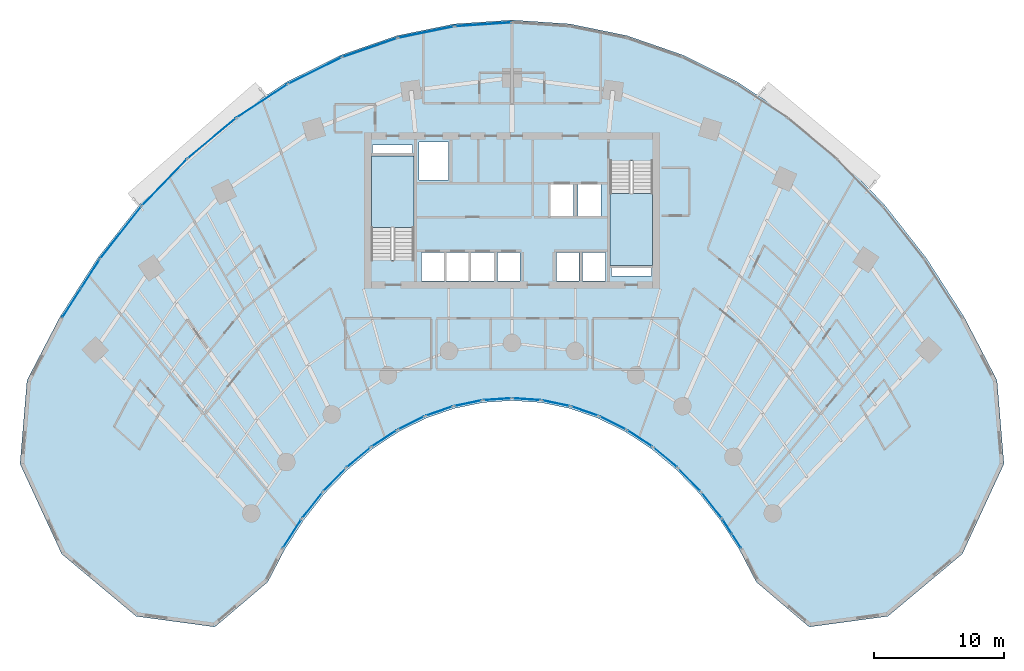
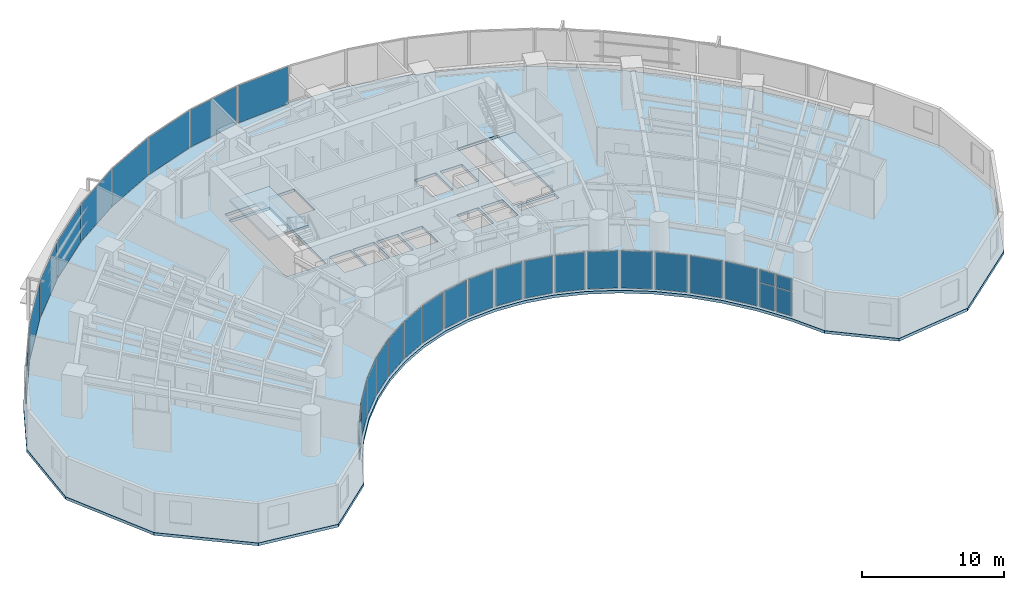
# One storey, part 9 of 17: 33 plates, 3 slabs, 29 elements without a shape of their own.
"""IFC4 building model written with IfcOpenShell, lengths in metres."""

from ifc_helpers import new_model, si_unit, direction, frame, origin, origin_2d, place, context, subcontext, project, spatial, polyline, rectangle, outline, extrude, source, transform, mapped, material, layer, layer_set, type_object, type_shapes, element, aggregate, save


model = new_model("IFC4")

# Units and contexts
model_context = context("Model", 3, precision=1e-05, world=origin(), true_north=direction((0.0, 1.0)))
body_context = subcontext(model_context, "Body", "Model", "MODEL_VIEW")
ifc_project = project(units=[si_unit("LENGTHUNIT", "METRE"), si_unit("AREAUNIT", "SQUARE_METRE"), si_unit("VOLUMEUNIT", "CUBIC_METRE"), si_unit("PLANEANGLEUNIT", "RADIAN"), si_unit("MASSUNIT", "GRAM", prefix="KILO")], contexts=[model_context])

# Site, building, storey
site_placement = place(None, origin())
site = spatial("IfcSite", under=ifc_project, at=site_placement, CompositionType="ELEMENT")
building_placement = place(site_placement, origin())
building = spatial("IfcBuilding", under=site, at=building_placement, Name="Breltana Convention Tower", CompositionType="ELEMENT")
storey_placement = place(building_placement, frame((0.0, 0.0, 49.800048828125)))
storey = spatial("IfcBuildingStorey", under=building, at=storey_placement, Name="L10", CompositionType="ELEMENT", Elevation=49.800048828125)

# Slab
ifc_material_1 = material(Name="Concrete C40/50", Category="concrete")
ifc_layer_1 = layer(ifc_material_1, 0.239990234375, Name="Concrete C40/50")
ifc_layer_set_1 = layer_set([ifc_layer_1], Name="Concrete C40/50")
slab_type_1 = type_object("IfcSlabType", Name="SL-HTL-240", PredefinedType="FLOOR", material=ifc_layer_set_1)
slab_1_placement = place(storey_placement, frame((0.0, 0.0, -0.239990234375)))
element("IfcSlab", 1, at=slab_1_placement, inside=storey, type_object=slab_type_1, Name="L10 Suspended Structural Floor Slab", PredefinedType="FLOOR", context=body_context, shape_type="SweptSolid", body=[
    extrude(outline(polyline([(85.229248046875, 53.173095703125), (82.687744140625, 58.054931640625), (79.791015625, 62.567626953125), (76.569091796875, 66.664794921875), (73.05419921875, 70.304931640625), (69.283203125, 73.450439453125), (65.2939453125, 76.069091796875), (61.1279296875, 78.134033203125), (56.827392578125, 79.62451171875), (52.436279296875, 80.52490234375), (48.0, 80.825927734375), (43.563720703125, 80.52490234375), (39.172607421875, 79.62451171875), (34.8720703125, 78.134033203125), (30.7060546875, 76.069091796875), (26.716796875, 73.450439453125), (22.94580078125, 70.304931640625), (19.430908203125, 66.664794921875), (16.208984375, 62.567626953125), (13.312255859375, 58.054931640625), (10.770751953125, 53.173095703125), (10.234619140625, 46.75927734375), (13.433837890625, 39.8388671875), (19.14697265625, 35.055419921875), (25.191162109375, 34.235595703125), (29.258056640625, 37.693115234375), (30.53759765625, 40.150634765625), (31.995849609375, 42.42236328125), (33.617919921875, 44.485107421875), (35.38720703125, 46.3173828125), (37.28564453125, 47.90087890625), (39.2939453125, 49.21923828125), (41.39111328125, 50.2587890625), (43.55615234375, 51.009033203125), (45.7666015625, 51.46240234375), (48.0, 51.614013671875), (50.2333984375, 51.46240234375), (52.44384765625, 51.009033203125), (54.60888671875, 50.2587890625), (56.7060546875, 49.21923828125), (58.71435546875, 47.90087890625), (60.61279296875, 46.3173828125), (62.382080078125, 44.485107421875), (64.004150390625, 42.42236328125), (65.46240234375, 40.150634765625), (66.741943359375, 37.693115234375), (70.808837890625, 34.235595703125), (76.85302734375, 35.055419921875), (82.566162109375, 39.8388671875), (85.765380859375, 46.75927734375), (85.229248046875, 53.173095703125)]), holes=[polyline([(37.199951171875, 62.385009765625), (40.469970703125, 62.385009765625), (40.469970703125, 70.39990234375), (37.199951171875, 70.39990234375), (37.199951171875, 62.385009765625)]), polyline([(55.530029296875, 62.0), (58.800048828125, 62.0), (58.800048828125, 70.014892578125), (55.530029296875, 70.014892578125), (55.530029296875, 62.0)]), polyline([(41.0400390625, 60.800048828125), (42.800048828125, 60.800048828125), (42.800048828125, 62.97998046875), (41.0400390625, 62.97998046875), (41.0400390625, 60.800048828125)]), polyline([(42.93994140625, 60.800048828125), (44.699951171875, 60.800048828125), (44.699951171875, 62.97998046875), (42.93994140625, 62.97998046875), (42.93994140625, 60.800048828125)]), polyline([(44.8701171875, 60.800048828125), (46.6298828125, 60.800048828125), (46.6298828125, 62.97998046875), (44.8701171875, 62.97998046875), (44.8701171875, 60.800048828125)]), polyline([(46.8701171875, 60.800048828125), (48.6298828125, 60.800048828125), (48.6298828125, 62.97998046875), (46.8701171875, 62.97998046875), (46.8701171875, 60.800048828125)]), polyline([(51.39990234375, 60.800048828125), (53.159912109375, 60.800048828125), (53.159912109375, 62.97998046875), (51.39990234375, 62.97998046875), (51.39990234375, 60.800048828125)]), polyline([(53.39990234375, 60.800048828125), (55.159912109375, 60.800048828125), (55.159912109375, 62.97998046875), (53.39990234375, 62.97998046875), (53.39990234375, 60.800048828125)]), polyline([(50.969970703125, 65.800048828125), (52.72998046875, 65.800048828125), (52.72998046875, 68.179931640625), (50.969970703125, 68.179931640625), (50.969970703125, 65.800048828125)]), polyline([(53.070068359375, 65.800048828125), (54.830078125, 65.800048828125), (54.830078125, 68.179931640625), (53.070068359375, 68.179931640625), (53.070068359375, 65.800048828125)]), polyline([(40.8798828125, 68.550048828125), (43.1201171875, 68.550048828125), (43.1201171875, 71.449951171875), (40.8798828125, 71.449951171875), (40.8798828125, 68.550048828125)]), polyline([(37.300048828125, 70.60009765625), (40.3798828125, 70.60009765625), (40.3798828125, 71.219970703125), (37.300048828125, 71.219970703125), (37.300048828125, 70.60009765625)]), polyline([(55.6201171875, 61.179931640625), (58.699951171875, 61.179931640625), (58.699951171875, 61.800048828125), (55.6201171875, 61.800048828125), (55.6201171875, 61.179931640625)])]), origin(), (0.0, 0.0, 1.0), 0.239990234375),
])

# Stair, slab
stair_type = type_object("IfcStairType", Name="ST-DOG-1560-R180", PredefinedType="HALF_TURN_STAIR", material=ifc_material_1)
stair_1_placement = place(storey_placement, origin())
stair_1 = element("IfcStair", 2, at=stair_1_placement, inside=storey, type_object=stair_type, Name="L10 Protected Core Exit Stair ST-1", PredefinedType="HALF_TURN_STAIR")
ifc_layer_2 = layer(ifc_material_1, 0.199951171875, Name="Concrete C40/50")
ifc_layer_set_2 = layer_set([ifc_layer_2], Name="Concrete C40/50")
slab_type_2 = type_object("IfcSlabType", Name="SL-STAIR-LANDING-200", PredefinedType="LANDING", material=ifc_layer_set_2)
slab_2_placement = place(storey_placement, frame((0.0, 0.0, 1.599853515625)))
slab_2 = element("IfcSlab", 3, at=slab_2_placement, type_object=slab_type_2, Name="ST-1 landing 1", PredefinedType="LANDING", context=body_context, shape_type="SweptSolid", body=[
    extrude(outline(polyline([(40.469970703125, 64.8798828125), (40.469970703125, 70.39990234375), (37.199951171875, 70.39990234375), (37.199951171875, 64.8798828125), (40.469970703125, 64.8798828125)])), origin(), (0.0, 0.0, 1.0), 0.2001953125),
])
aggregate(stair_1, [slab_2])

stair_2_placement = place(storey_placement, origin())
stair_2 = element("IfcStair", 4, at=stair_2_placement, inside=storey, type_object=stair_type, Name="L10 Protected Core Exit Stair ST-2", PredefinedType="HALF_TURN_STAIR")
slab_3_placement = place(storey_placement, frame((0.0, 0.0, 1.599853515625)))
slab_3 = element("IfcSlab", 5, at=slab_3_placement, type_object=slab_type_2, Name="ST-2 landing 1", PredefinedType="LANDING", context=body_context, shape_type="SweptSolid", body=[
    extrude(outline(polyline([(55.530029296875, 67.52001953125), (55.530029296875, 62.0), (58.800048828125, 62.0), (58.800048828125, 67.52001953125), (55.530029296875, 67.52001953125)])), origin(), (0.0, 0.0, 1.0), 0.2001953125),
])
aggregate(stair_2, [slab_3])

# Curtain wall, plates
ifc_material_2 = material(Name="Aluminium Anodised Bronze Frame", Category="aluminium")
ifc_layer_3 = layer(ifc_material_2, 0.18994140625, Name="Aluminium Anodised Bronze Frame")
ifc_layer_set_3 = layer_set([ifc_layer_3], Name="Aluminium Anodised Bronze Frame")
curtain_wall_type_1 = type_object("IfcCurtainWallType", Name="CW-SYS-1", PredefinedType="NOTDEFINED", material=ifc_layer_set_3)
curtain_wall_1_placement = place(storey_placement, origin())
curtain_wall_1 = element("IfcCurtainWall", 6, at=curtain_wall_1_placement, inside=storey, type_object=curtain_wall_type_1, Name="L10 inner south-court glazing 1", PredefinedType="NOTDEFINED")
ifc_material_3 = material(Name="Glass Low-E Double Glazing", Category="glass")
ifc_layer_4 = layer(ifc_material_3, 0.028076171875, Name="Glass Low-E Double Glazing")
ifc_layer_set_4 = layer_set([ifc_layer_4], Name="Glass Low-E Double Glazing")
plate_type_1 = type_object("IfcPlateType", Name="CWP-IGU-28", PredefinedType="CURTAIN_PANEL", material=ifc_layer_set_4)
shared_shape_1 = source(origin(), body_context, "Body", "SweptSolid", [
    extrude(rectangle(XDim=1.229736328125, YDim=0.028076171875, at=origin_2d()), origin(), (0.0, 0.0, 1.0), 2.06396484375),
])
plate_1_placement = place(storey_placement, frame((65.238525390625, 40.83251953125, 0.080078125), z_axis=(0.0, 0.0, 1.0), x_axis=(-0.540169576197, 0.841556194767, 0.0)))
plate_1 = element("IfcPlate", 7, at=plate_1_placement, type_object=plate_type_1, Name="CW-01 panel 1.1", PredefinedType="CURTAIN_PANEL", context=body_context, shape_type="MappedRepresentation", body=[
    mapped(shared_shape_1, transform((0.0, 0.0, 0.0), scale=1.0)),
])
plate_2_placement = place(storey_placement, frame((64.531005859375, 41.934814453125, 0.080078125), z_axis=(0.0, 0.0, 1.0), x_axis=(-0.540169576197, 0.841556194767, 0.0)))
plate_2 = element("IfcPlate", 8, at=plate_2_placement, type_object=plate_type_1, Name="CW-01 panel 2.1", PredefinedType="CURTAIN_PANEL", context=body_context, shape_type="MappedRepresentation", body=[
    mapped(shared_shape_1, transform((0.0, 0.0, 0.0), scale=1.0)),
])
shared_shape_2 = source(origin(), body_context, "Body", "SweptSolid", [
    extrude(rectangle(XDim=1.229736328125, YDim=0.028076171875, at=origin_2d()), origin(), (0.0, 0.0, 1.0), 1.055908203125),
])
plate_3_placement = place(storey_placement, frame((65.238525390625, 40.83251953125, 2.22412109375), z_axis=(0.0, 0.0, 1.0), x_axis=(-0.540169576197, 0.841556194767, 0.0)))
plate_3 = element("IfcPlate", 9, at=plate_3_placement, type_object=plate_type_1, Name="CW-01 panel 1.2", PredefinedType="CURTAIN_PANEL", context=body_context, shape_type="MappedRepresentation", body=[
    mapped(shared_shape_2, transform((0.0, 0.0, 0.0), scale=1.0)),
])
plate_4_placement = place(storey_placement, frame((64.531005859375, 41.934814453125, 2.22412109375), z_axis=(0.0, 0.0, 1.0), x_axis=(-0.540169576197, 0.841556194767, 0.0)))
plate_4 = element("IfcPlate", 10, at=plate_4_placement, type_object=plate_type_1, Name="CW-01 panel 2.2", PredefinedType="CURTAIN_PANEL", context=body_context, shape_type="MappedRepresentation", body=[
    mapped(shared_shape_2, transform((0.0, 0.0, 0.0), scale=1.0)),
])
aggregate(curtain_wall_1, [plate_1, plate_3, plate_2, plate_4])

# Curtain wall, plate
curtain_wall_2_placement = place(storey_placement, origin())
curtain_wall_2 = element("IfcCurtainWall", 11, at=curtain_wall_2_placement, inside=storey, type_object=curtain_wall_type_1, Name="L10 inner south-court glazing 2", PredefinedType="NOTDEFINED")
shared_shape_3 = source(origin(), body_context, "Body", "SweptSolid", [
    extrude(rectangle(XDim=2.464111328125, YDim=0.028076171875, at=origin_2d()), origin(), (0.0, 0.0, 1.0), 3.199951171875),
])
plate_5_placement = place(storey_placement, frame((63.334716796875, 43.56494140625, 0.080078125), z_axis=(0.0, 0.0, 1.0), x_axis=(-0.61815305034, 0.786057762734, 0.0)))
plate_5 = element("IfcPlate", 12, at=plate_5_placement, type_object=plate_type_1, Name="CW-01 panel 1.1", PredefinedType="CURTAIN_PANEL", context=body_context, shape_type="MappedRepresentation", body=[
    mapped(shared_shape_3, transform((0.0, 0.0, 0.0), scale=1.0)),
])
aggregate(curtain_wall_2, [plate_5])

curtain_wall_3_placement = place(storey_placement, origin())
curtain_wall_3 = element("IfcCurtainWall", 13, at=curtain_wall_3_placement, inside=storey, type_object=curtain_wall_type_1, Name="L10 inner south-court glazing 17", PredefinedType="NOTDEFINED")
plate_6_placement = place(storey_placement, frame((32.665283203125, 43.56494140625, 0.080078125), z_axis=(0.0, 0.0, 1.0), x_axis=(-0.61815305034, -0.786057762734, 0.0)))
plate_6 = element("IfcPlate", 14, at=plate_6_placement, type_object=plate_type_1, Name="CW-01 panel 1.1", PredefinedType="CURTAIN_PANEL", context=body_context, shape_type="MappedRepresentation", body=[
    mapped(shared_shape_3, transform((0.0, 0.0, 0.0), scale=1.0)),
])
aggregate(curtain_wall_3, [plate_6])

curtain_wall_4_placement = place(storey_placement, origin())
curtain_wall_4 = element("IfcCurtainWall", 15, at=curtain_wall_4_placement, inside=storey, type_object=curtain_wall_type_1, Name="L10 inner south-court glazing 3", PredefinedType="NOTDEFINED")
shared_shape_4 = source(origin(), body_context, "Body", "SweptSolid", [
    extrude(rectangle(XDim=2.38720703125, YDim=0.028076171875, at=origin_2d()), origin(), (0.0, 0.0, 1.0), 3.199951171875),
])
plate_7_placement = place(storey_placement, frame((61.626953125, 45.5263671875, 0.080078125), z_axis=(0.0, 0.0, 1.0), x_axis=(-0.694612029111, 0.719384548773, 0.0)))
plate_7 = element("IfcPlate", 16, at=plate_7_placement, type_object=plate_type_1, Name="CW-01 panel 1.1", PredefinedType="CURTAIN_PANEL", context=body_context, shape_type="MappedRepresentation", body=[
    mapped(shared_shape_4, transform((0.0, 0.0, 0.0), scale=1.0)),
])
aggregate(curtain_wall_4, [plate_7])

curtain_wall_5_placement = place(storey_placement, origin())
curtain_wall_5 = element("IfcCurtainWall", 17, at=curtain_wall_5_placement, inside=storey, type_object=curtain_wall_type_1, Name="L10 inner south-court glazing 16", PredefinedType="NOTDEFINED")
plate_8_placement = place(storey_placement, frame((34.373046875, 45.5263671875, 0.080078125), z_axis=(0.0, 0.0, 1.0), x_axis=(-0.694612029111, -0.719384548773, 0.0)))
plate_8 = element("IfcPlate", 18, at=plate_8_placement, type_object=plate_type_1, Name="CW-01 panel 1.1", PredefinedType="CURTAIN_PANEL", context=body_context, shape_type="MappedRepresentation", body=[
    mapped(shared_shape_4, transform((0.0, 0.0, 0.0), scale=1.0)),
])
aggregate(curtain_wall_5, [plate_8])

curtain_wall_6_placement = place(storey_placement, origin())
curtain_wall_6 = element("IfcCurtainWall", 19, at=curtain_wall_6_placement, inside=storey, type_object=curtain_wall_type_1, Name="L10 inner south-court glazing 4", PredefinedType="NOTDEFINED")
shared_shape_5 = source(origin(), body_context, "Body", "SweptSolid", [
    extrude(rectangle(XDim=2.312255859375, YDim=0.028076171875, at=origin_2d()), origin(), (0.0, 0.0, 1.0), 3.199951171875),
])
plate_9_placement = place(storey_placement, frame((59.77880859375, 47.24755859375, 0.080078125), z_axis=(0.0, 0.0, 1.0), x_axis=(-0.767939382804, 0.640522524458, 0.0)))
plate_9 = element("IfcPlate", 20, at=plate_9_placement, type_object=plate_type_1, Name="CW-01 panel 1.1", PredefinedType="CURTAIN_PANEL", context=body_context, shape_type="MappedRepresentation", body=[
    mapped(shared_shape_5, transform((0.0, 0.0, 0.0), scale=1.0)),
])
aggregate(curtain_wall_6, [plate_9])

curtain_wall_7_placement = place(storey_placement, origin())
curtain_wall_7 = element("IfcCurtainWall", 21, at=curtain_wall_7_placement, inside=storey, type_object=curtain_wall_type_1, Name="L10 inner south-court glazing 15", PredefinedType="NOTDEFINED")
plate_10_placement = place(storey_placement, frame((36.22119140625, 47.24755859375, 0.080078125), z_axis=(0.0, 0.0, 1.0), x_axis=(-0.767939382804, -0.640522524458, 0.0)))
plate_10 = element("IfcPlate", 22, at=plate_10_placement, type_object=plate_type_1, Name="CW-01 panel 1.1", PredefinedType="CURTAIN_PANEL", context=body_context, shape_type="MappedRepresentation", body=[
    mapped(shared_shape_5, transform((0.0, 0.0, 0.0), scale=1.0)),
])
aggregate(curtain_wall_7, [plate_10])

curtain_wall_8_placement = place(storey_placement, origin())
curtain_wall_8 = element("IfcCurtainWall", 23, at=curtain_wall_8_placement, inside=storey, type_object=curtain_wall_type_1, Name="L10 inner south-court glazing 5", PredefinedType="NOTDEFINED")
shared_shape_6 = source(origin(), body_context, "Body", "SweptSolid", [
    extrude(rectangle(XDim=2.2421875, YDim=0.028076171875, at=origin_2d()), origin(), (0.0, 0.0, 1.0), 3.199951171875),
])
plate_11_placement = place(storey_placement, frame((57.80908203125, 48.710693359375, 0.080078125), z_axis=(0.0, 0.0, 1.0), x_axis=(-0.835967942634, 0.548778278441, 0.0)))
plate_11 = element("IfcPlate", 24, at=plate_11_placement, type_object=plate_type_1, Name="CW-01 panel 1.1", PredefinedType="CURTAIN_PANEL", context=body_context, shape_type="MappedRepresentation", body=[
    mapped(shared_shape_6, transform((0.0, 0.0, 0.0), scale=1.0)),
])
aggregate(curtain_wall_8, [plate_11])

curtain_wall_9_placement = place(storey_placement, origin())
curtain_wall_9 = element("IfcCurtainWall", 25, at=curtain_wall_9_placement, inside=storey, type_object=curtain_wall_type_1, Name="L10 inner south-court glazing 14", PredefinedType="NOTDEFINED")
plate_12_placement = place(storey_placement, frame((38.19091796875, 48.710693359375, 0.080078125), z_axis=(0.0, 0.0, 1.0), x_axis=(-0.835967942634, -0.548778278441, 0.0)))
plate_12 = element("IfcPlate", 26, at=plate_12_placement, type_object=plate_type_1, Name="CW-01 panel 1.1", PredefinedType="CURTAIN_PANEL", context=body_context, shape_type="MappedRepresentation", body=[
    mapped(shared_shape_6, transform((0.0, 0.0, 0.0), scale=1.0)),
])
aggregate(curtain_wall_9, [plate_12])

curtain_wall_10_placement = place(storey_placement, origin())
curtain_wall_10 = element("IfcCurtainWall", 27, at=curtain_wall_10_placement, inside=storey, type_object=curtain_wall_type_1, Name="L10 inner south-court glazing 6", PredefinedType="NOTDEFINED")
shared_shape_7 = source(origin(), body_context, "Body", "SweptSolid", [
    extrude(rectangle(XDim=2.180908203125, YDim=0.028076171875, at=origin_2d()), origin(), (0.0, 0.0, 1.0), 3.199951171875),
])
plate_13_placement = place(storey_placement, frame((55.7373046875, 49.900390625, 0.080078125), z_axis=(0.0, 0.0, 1.0), x_axis=(-0.895968310315, 0.444117987602, 0.0)))
plate_13 = element("IfcPlate", 28, at=plate_13_placement, type_object=plate_type_1, Name="CW-01 panel 1.1", PredefinedType="CURTAIN_PANEL", context=body_context, shape_type="MappedRepresentation", body=[
    mapped(shared_shape_7, transform((0.0, 0.0, 0.0), scale=1.0)),
])
aggregate(curtain_wall_10, [plate_13])

curtain_wall_11_placement = place(storey_placement, origin())
curtain_wall_11 = element("IfcCurtainWall", 29, at=curtain_wall_11_placement, inside=storey, type_object=curtain_wall_type_1, Name="L10 inner south-court glazing 13", PredefinedType="NOTDEFINED")
plate_14_placement = place(storey_placement, frame((40.2626953125, 49.900390625, 0.080078125), z_axis=(0.0, 0.0, 1.0), x_axis=(-0.895968310315, -0.444117987602, 0.0)))
plate_14 = element("IfcPlate", 30, at=plate_14_placement, type_object=plate_type_1, Name="CW-01 panel 1.1", PredefinedType="CURTAIN_PANEL", context=body_context, shape_type="MappedRepresentation", body=[
    mapped(shared_shape_7, transform((0.0, 0.0, 0.0), scale=1.0)),
])
aggregate(curtain_wall_11, [plate_14])

curtain_wall_12_placement = place(storey_placement, origin())
curtain_wall_12 = element("IfcCurtainWall", 31, at=curtain_wall_12_placement, inside=storey, type_object=curtain_wall_type_1, Name="L10 inner south-court glazing 7", PredefinedType="NOTDEFINED")
shared_shape_8 = source(origin(), body_context, "Body", "SweptSolid", [
    extrude(rectangle(XDim=2.13134765625, YDim=0.028076171875, at=origin_2d()), origin(), (0.0, 0.0, 1.0), 3.199951171875),
])
plate_15_placement = place(storey_placement, frame((53.585205078125, 50.80419921875, 0.080078125), z_axis=(0.0, 0.0, 1.0), x_axis=(-0.944881211406, 0.327413341714, 0.0)))
plate_15 = element("IfcPlate", 32, at=plate_15_placement, type_object=plate_type_1, Name="CW-01 panel 1.1", PredefinedType="CURTAIN_PANEL", context=body_context, shape_type="MappedRepresentation", body=[
    mapped(shared_shape_8, transform((0.0, 0.0, 0.0), scale=1.0)),
])
aggregate(curtain_wall_12, [plate_15])

curtain_wall_13_placement = place(storey_placement, origin())
curtain_wall_13 = element("IfcCurtainWall", 33, at=curtain_wall_13_placement, inside=storey, type_object=curtain_wall_type_1, Name="L10 inner south-court glazing 12", PredefinedType="NOTDEFINED")
plate_16_placement = place(storey_placement, frame((42.414794921875, 50.80419921875, 0.080078125), z_axis=(0.0, 0.0, 1.0), x_axis=(-0.944881211406, -0.327413341714, 0.0)))
plate_16 = element("IfcPlate", 34, at=plate_16_placement, type_object=plate_type_1, Name="CW-01 panel 1.1", PredefinedType="CURTAIN_PANEL", context=body_context, shape_type="MappedRepresentation", body=[
    mapped(shared_shape_8, transform((0.0, 0.0, 0.0), scale=1.0)),
])
aggregate(curtain_wall_13, [plate_16])

curtain_wall_14_placement = place(storey_placement, origin())
curtain_wall_14 = element("IfcCurtainWall", 35, at=curtain_wall_14_placement, inside=storey, type_object=curtain_wall_type_1, Name="L10 inner south-court glazing 8", PredefinedType="NOTDEFINED")
shared_shape_9 = source(origin(), body_context, "Body", "SweptSolid", [
    extrude(rectangle(XDim=2.096435546875, YDim=0.028076171875, at=origin_2d()), origin(), (0.0, 0.0, 1.0), 3.199951171875),
])
plate_17_placement = place(storey_placement, frame((51.374755859375, 51.412109375, 0.080078125), z_axis=(0.0, 0.0, 1.0), x_axis=(-0.97961455393, 0.200886350278, 0.0)))
plate_17 = element("IfcPlate", 36, at=plate_17_placement, type_object=plate_type_1, Name="CW-01 panel 1.1", PredefinedType="CURTAIN_PANEL", context=body_context, shape_type="MappedRepresentation", body=[
    mapped(shared_shape_9, transform((0.0, 0.0, 0.0), scale=1.0)),
])
aggregate(curtain_wall_14, [plate_17])

curtain_wall_15_placement = place(storey_placement, origin())
curtain_wall_15 = element("IfcCurtainWall", 37, at=curtain_wall_15_placement, inside=storey, type_object=curtain_wall_type_1, Name="L10 inner south-court glazing 11", PredefinedType="NOTDEFINED")
plate_18_placement = place(storey_placement, frame((44.625244140625, 51.412109375, 0.080078125), z_axis=(0.0, 0.0, 1.0), x_axis=(-0.97961455393, -0.200886350278, 0.0)))
plate_18 = element("IfcPlate", 38, at=plate_18_placement, type_object=plate_type_1, Name="CW-01 panel 1.1", PredefinedType="CURTAIN_PANEL", context=body_context, shape_type="MappedRepresentation", body=[
    mapped(shared_shape_9, transform((0.0, 0.0, 0.0), scale=1.0)),
])
aggregate(curtain_wall_15, [plate_18])

curtain_wall_16_placement = place(storey_placement, origin())
curtain_wall_16 = element("IfcCurtainWall", 39, at=curtain_wall_16_placement, inside=storey, type_object=curtain_wall_type_1, Name="L10 inner south-court glazing 9", PredefinedType="NOTDEFINED")
shared_shape_10 = source(origin(), body_context, "Body", "SweptSolid", [
    extrude(rectangle(XDim=2.078369140625, YDim=0.028076171875, at=origin_2d()), origin(), (0.0, 0.0, 1.0), 3.199951171875),
])
plate_19_placement = place(storey_placement, frame((49.12890625, 51.7177734375, 0.080078125), z_axis=(0.0, 0.0, 1.0), x_axis=(-0.997703975371, 0.067725752326, 0.0)))
plate_19 = element("IfcPlate", 40, at=plate_19_placement, type_object=plate_type_1, Name="CW-01 panel 1.1", PredefinedType="CURTAIN_PANEL", context=body_context, shape_type="MappedRepresentation", body=[
    mapped(shared_shape_10, transform((0.0, 0.0, 0.0), scale=1.0)),
])
aggregate(curtain_wall_16, [plate_19])

curtain_wall_17_placement = place(storey_placement, origin())
curtain_wall_17 = element("IfcCurtainWall", 41, at=curtain_wall_17_placement, inside=storey, type_object=curtain_wall_type_1, Name="L10 inner south-court glazing 10", PredefinedType="NOTDEFINED")
plate_20_placement = place(storey_placement, frame((46.87109375, 51.7177734375, 0.080078125), z_axis=(0.0, 0.0, 1.0), x_axis=(-0.997703975371, -0.067725752326, 0.0)))
plate_20 = element("IfcPlate", 42, at=plate_20_placement, type_object=plate_type_1, Name="CW-01 panel 1.1", PredefinedType="CURTAIN_PANEL", context=body_context, shape_type="MappedRepresentation", body=[
    mapped(shared_shape_10, transform((0.0, 0.0, 0.0), scale=1.0)),
])
aggregate(curtain_wall_17, [plate_20])

curtain_wall_18_placement = place(storey_placement, origin())
curtain_wall_18 = element("IfcCurtainWall", 43, at=curtain_wall_18_placement, inside=storey, type_object=curtain_wall_type_1, Name="L10 inner south-court glazing 18", PredefinedType="NOTDEFINED")
shared_shape_11 = source(origin(), body_context, "Body", "SweptSolid", [
    extrude(rectangle(XDim=2.53955078125, YDim=0.028076171875, at=origin_2d()), origin(), (0.0, 0.0, 1.0), 3.199951171875),
])
plate_21_placement = place(storey_placement, frame((31.115234375, 41.3837890625, 0.080078125), z_axis=(0.0, 0.0, 1.0), x_axis=(-0.540169576197, -0.841556194767, 0.0)))
plate_21 = element("IfcPlate", 44, at=plate_21_placement, type_object=plate_type_1, Name="CW-01 panel 1.1", PredefinedType="CURTAIN_PANEL", context=body_context, shape_type="MappedRepresentation", body=[
    mapped(shared_shape_11, transform((0.0, 0.0, 0.0), scale=1.0)),
])
aggregate(curtain_wall_18, [plate_21])

# Curtain wall, plates
ifc_layer_5 = layer(ifc_material_2, 0.199951171875, Name="Aluminium Anodised Bronze Frame")
ifc_layer_set_5 = layer_set([ifc_layer_5], Name="Aluminium Anodised Bronze Frame")
curtain_wall_type_2 = type_object("IfcCurtainWallType", Name="CW-SYS-2", PredefinedType="NOTDEFINED", material=ifc_layer_set_5)
curtain_wall_19_placement = place(storey_placement, origin())
curtain_wall_19 = element("IfcCurtainWall", 45, at=curtain_wall_19_placement, inside=storey, type_object=curtain_wall_type_2, Name="L10 outer double-skin inner glazing 1", PredefinedType="NOTDEFINED")
ifc_layer_6 = layer(ifc_material_3, 0.031982421875, Name="Glass Low-E Double Glazing")
ifc_layer_set_6 = layer_set([ifc_layer_6], Name="Glass Low-E Double Glazing")
plate_type_2 = type_object("IfcPlateType", Name="CWP-IGU-32", PredefinedType="CURTAIN_PANEL", material=ifc_layer_set_6)
shared_shape_12 = source(origin(), body_context, "Body", "SweptSolid", [
    extrude(rectangle(XDim=2.56787109375, YDim=0.031982421875, at=origin_2d()), origin(), (0.0, 0.0, 1.0), 2.0791015625),
])
type_shapes(plate_type_2, [shared_shape_12])
plate_22_placement = place(storey_placement, frame((14.199462890625, 59.103759765625, 0.06982421875), z_axis=(0.0, 0.0, 1.0), x_axis=(0.540180724109, 0.841549039154, 0.0)))
plate_22 = element("IfcPlate", 46, at=plate_22_placement, type_object=plate_type_2, Name="CW-02 panel 1.1", PredefinedType="CURTAIN_PANEL", context=body_context, shape_type="MappedRepresentation", body=[
    mapped(shared_shape_12, transform((0.0, 0.0, 0.0), scale=1.0)),
])
plate_23_placement = place(storey_placement, frame((15.624267578125, 61.32373046875, 0.06982421875), z_axis=(0.0, 0.0, 1.0), x_axis=(0.540180724109, 0.841549039154, 0.0)))
plate_23 = element("IfcPlate", 47, at=plate_23_placement, type_object=plate_type_2, Name="CW-02 panel 2.1", PredefinedType="CURTAIN_PANEL", context=body_context, shape_type="MappedRepresentation", body=[
    mapped(shared_shape_12, transform((0.0, 0.0, 0.0), scale=1.0)),
])
shared_shape_13 = source(origin(), body_context, "Body", "SweptSolid", [
    extrude(rectangle(XDim=2.56787109375, YDim=0.031982421875, at=origin_2d()), origin(), (0.0, 0.0, 1.0), 1.071044921875),
])
plate_24_placement = place(storey_placement, frame((14.199462890625, 59.103759765625, 2.21875), z_axis=(0.0, 0.0, 1.0), x_axis=(0.540180724109, 0.841549039154, 0.0)))
plate_24 = element("IfcPlate", 48, at=plate_24_placement, type_object=plate_type_2, Name="CW-02 panel 1.2", PredefinedType="CURTAIN_PANEL", context=body_context, shape_type="MappedRepresentation", body=[
    mapped(shared_shape_13, transform((0.0, 0.0, 0.0), scale=1.0)),
])
plate_25_placement = place(storey_placement, frame((15.624267578125, 61.32373046875, 2.21875), z_axis=(0.0, 0.0, 1.0), x_axis=(0.540180724109, 0.841549039154, 0.0)))
plate_25 = element("IfcPlate", 49, at=plate_25_placement, type_object=plate_type_2, Name="CW-02 panel 2.2", PredefinedType="CURTAIN_PANEL", context=body_context, shape_type="MappedRepresentation", body=[
    mapped(shared_shape_13, transform((0.0, 0.0, 0.0), scale=1.0)),
])
aggregate(curtain_wall_19, [plate_22, plate_24, plate_23, plate_25])

# Curtain wall, plate
curtain_wall_20_placement = place(storey_placement, origin())
curtain_wall_20 = element("IfcCurtainWall", 50, at=curtain_wall_20_placement, inside=storey, type_object=curtain_wall_type_2, Name="L10 outer double-skin inner glazing 2", PredefinedType="NOTDEFINED")
shared_shape_14 = source(origin(), body_context, "Body", "SweptSolid", [
    extrude(rectangle(XDim=5.0546875, YDim=0.031982421875, at=origin_2d()), origin(), (0.0, 0.0, 1.0), 3.219970703125),
])
plate_26_placement = place(storey_placement, frame((17.961181640625, 64.504638671875, 0.06982421875), z_axis=(0.0, 0.0, 1.0), x_axis=(0.618153917633, 0.786057080698, 0.0)))
plate_26 = element("IfcPlate", 51, at=plate_26_placement, type_object=plate_type_2, Name="CW-02 panel 1.1", PredefinedType="CURTAIN_PANEL", context=body_context, shape_type="MappedRepresentation", body=[
    mapped(shared_shape_14, transform((0.0, 0.0, 0.0), scale=1.0)),
])
aggregate(curtain_wall_20, [plate_26])

curtain_wall_21_placement = place(storey_placement, origin())
curtain_wall_21 = element("IfcCurtainWall", 52, at=curtain_wall_21_placement, inside=storey, type_object=curtain_wall_type_2, Name="L10 outer double-skin inner glazing 3", PredefinedType="NOTDEFINED")
shared_shape_15 = source(origin(), body_context, "Body", "SweptSolid", [
    extrude(rectangle(XDim=4.901123046875, YDim=0.031982421875, at=origin_2d()), origin(), (0.0, 0.0, 1.0), 3.219970703125),
])
plate_27_placement = place(storey_placement, frame((21.317626953125, 68.359619140625, 0.06982421875), z_axis=(0.0, 0.0, 1.0), x_axis=(0.694610090106, 0.719386421003, 0.0)))
plate_27 = element("IfcPlate", 53, at=plate_27_placement, type_object=plate_type_2, Name="CW-02 panel 1.1", PredefinedType="CURTAIN_PANEL", context=body_context, shape_type="MappedRepresentation", body=[
    mapped(shared_shape_15, transform((0.0, 0.0, 0.0), scale=1.0)),
])
aggregate(curtain_wall_21, [plate_27])

curtain_wall_22_placement = place(storey_placement, origin())
curtain_wall_22 = element("IfcCurtainWall", 54, at=curtain_wall_22_placement, inside=storey, type_object=curtain_wall_type_2, Name="L10 outer double-skin inner glazing 4", PredefinedType="NOTDEFINED")
shared_shape_16 = source(origin(), body_context, "Body", "SweptSolid", [
    extrude(rectangle(XDim=4.7509765625, YDim=0.031982421875, at=origin_2d()), origin(), (0.0, 0.0, 1.0), 3.219970703125),
])
plate_28_placement = place(storey_placement, frame((24.9462890625, 71.7392578125, 0.06982421875), z_axis=(0.0, 0.0, 1.0), x_axis=(0.767941326958, 0.640520193554, 0.0)))
plate_28 = element("IfcPlate", 55, at=plate_28_placement, type_object=plate_type_2, Name="CW-02 panel 1.1", PredefinedType="CURTAIN_PANEL", context=body_context, shape_type="MappedRepresentation", body=[
    mapped(shared_shape_16, transform((0.0, 0.0, 0.0), scale=1.0)),
])
aggregate(curtain_wall_22, [plate_28])

curtain_wall_23_placement = place(storey_placement, origin())
curtain_wall_23 = element("IfcCurtainWall", 56, at=curtain_wall_23_placement, inside=storey, type_object=curtain_wall_type_2, Name="L10 outer double-skin inner glazing 5", PredefinedType="NOTDEFINED")
shared_shape_17 = source(origin(), body_context, "Body", "SweptSolid", [
    extrude(rectangle(XDim=4.610595703125, YDim=0.031982421875, at=origin_2d()), origin(), (0.0, 0.0, 1.0), 3.219970703125),
])
plate_29_placement = place(storey_placement, frame((28.81005859375, 74.609130859375, 0.06982421875), z_axis=(0.0, 0.0, 1.0), x_axis=(0.83596401875, 0.548784255746, 0.0)))
plate_29 = element("IfcPlate", 57, at=plate_29_placement, type_object=plate_type_2, Name="CW-02 panel 1.1", PredefinedType="CURTAIN_PANEL", context=body_context, shape_type="MappedRepresentation", body=[
    mapped(shared_shape_17, transform((0.0, 0.0, 0.0), scale=1.0)),
])
aggregate(curtain_wall_23, [plate_29])

curtain_wall_24_placement = place(storey_placement, origin())
curtain_wall_24 = element("IfcCurtainWall", 58, at=curtain_wall_24_placement, inside=storey, type_object=curtain_wall_type_2, Name="L10 outer double-skin inner glazing 6", PredefinedType="NOTDEFINED")
shared_shape_18 = source(origin(), body_context, "Body", "SweptSolid", [
    extrude(rectangle(XDim=4.487548828125, YDim=0.031982421875, at=origin_2d()), origin(), (0.0, 0.0, 1.0), 3.219970703125),
])
plate_30_placement = place(storey_placement, frame((32.86865234375, 76.940185546875, 0.06982421875), z_axis=(0.0, 0.0, 1.0), x_axis=(0.895973407804, 0.444107703726, 0.0)))
plate_30 = element("IfcPlate", 59, at=plate_30_placement, type_object=plate_type_2, Name="CW-02 panel 1.1", PredefinedType="CURTAIN_PANEL", context=body_context, shape_type="MappedRepresentation", body=[
    mapped(shared_shape_18, transform((0.0, 0.0, 0.0), scale=1.0)),
])
aggregate(curtain_wall_24, [plate_30])

curtain_wall_25_placement = place(storey_placement, origin())
curtain_wall_25 = element("IfcCurtainWall", 60, at=curtain_wall_25_placement, inside=storey, type_object=curtain_wall_type_2, Name="L10 outer double-skin inner glazing 7", PredefinedType="NOTDEFINED")
shared_shape_19 = source(origin(), body_context, "Body", "SweptSolid", [
    extrude(rectangle(XDim=4.388427734375, YDim=0.031982421875, at=origin_2d()), origin(), (0.0, 0.0, 1.0), 3.219970703125),
])
plate_31_placement = place(storey_placement, frame((37.0810546875, 78.709228515625, 0.06982421875), z_axis=(0.0, 0.0, 1.0), x_axis=(0.944876012163, 0.32742834581, 0.0)))
plate_31 = element("IfcPlate", 61, at=plate_31_placement, type_object=plate_type_2, Name="CW-02 panel 1.1", PredefinedType="CURTAIN_PANEL", context=body_context, shape_type="MappedRepresentation", body=[
    mapped(shared_shape_19, transform((0.0, 0.0, 0.0), scale=1.0)),
])
aggregate(curtain_wall_25, [plate_31])

curtain_wall_26_placement = place(storey_placement, origin())
curtain_wall_26 = element("IfcCurtainWall", 62, at=curtain_wall_26_placement, inside=storey, type_object=curtain_wall_type_2, Name="L10 outer double-skin inner glazing 8", PredefinedType="NOTDEFINED")
shared_shape_20 = source(origin(), body_context, "Body", "SweptSolid", [
    extrude(rectangle(XDim=4.318359375, YDim=0.031982421875, at=origin_2d()), origin(), (0.0, 0.0, 1.0), 3.219970703125),
])
plate_32_placement = place(storey_placement, frame((41.404296875, 79.898193359375, 0.06982421875), z_axis=(0.0, 0.0, 1.0), x_axis=(0.979614925743, 0.200884537139, 0.0)))
plate_32 = element("IfcPlate", 63, at=plate_32_placement, type_object=plate_type_2, Name="CW-02 panel 1.1", PredefinedType="CURTAIN_PANEL", context=body_context, shape_type="MappedRepresentation", body=[
    mapped(shared_shape_20, transform((0.0, 0.0, 0.0), scale=1.0)),
])
aggregate(curtain_wall_26, [plate_32])

curtain_wall_27_placement = place(storey_placement, origin())
curtain_wall_27 = element("IfcCurtainWall", 64, at=curtain_wall_27_placement, inside=storey, type_object=curtain_wall_type_2, Name="L10 outer double-skin inner glazing 9", PredefinedType="NOTDEFINED")
shared_shape_21 = source(origin(), body_context, "Body", "SweptSolid", [
    extrude(rectangle(XDim=4.2822265625, YDim=0.031982421875, at=origin_2d()), origin(), (0.0, 0.0, 1.0), 3.219970703125),
])
plate_33_placement = place(storey_placement, frame((45.7939453125, 80.495849609375, 0.06982421875), z_axis=(0.0, 0.0, 1.0), x_axis=(0.997703982282, 0.067725650529, 0.0)))
plate_33 = element("IfcPlate", 65, at=plate_33_placement, type_object=plate_type_2, Name="CW-02 panel 1.1", PredefinedType="CURTAIN_PANEL", context=body_context, shape_type="MappedRepresentation", body=[
    mapped(shared_shape_21, transform((0.0, 0.0, 0.0), scale=1.0)),
])
aggregate(curtain_wall_27, [plate_33])

save(model, "model.ifc")
